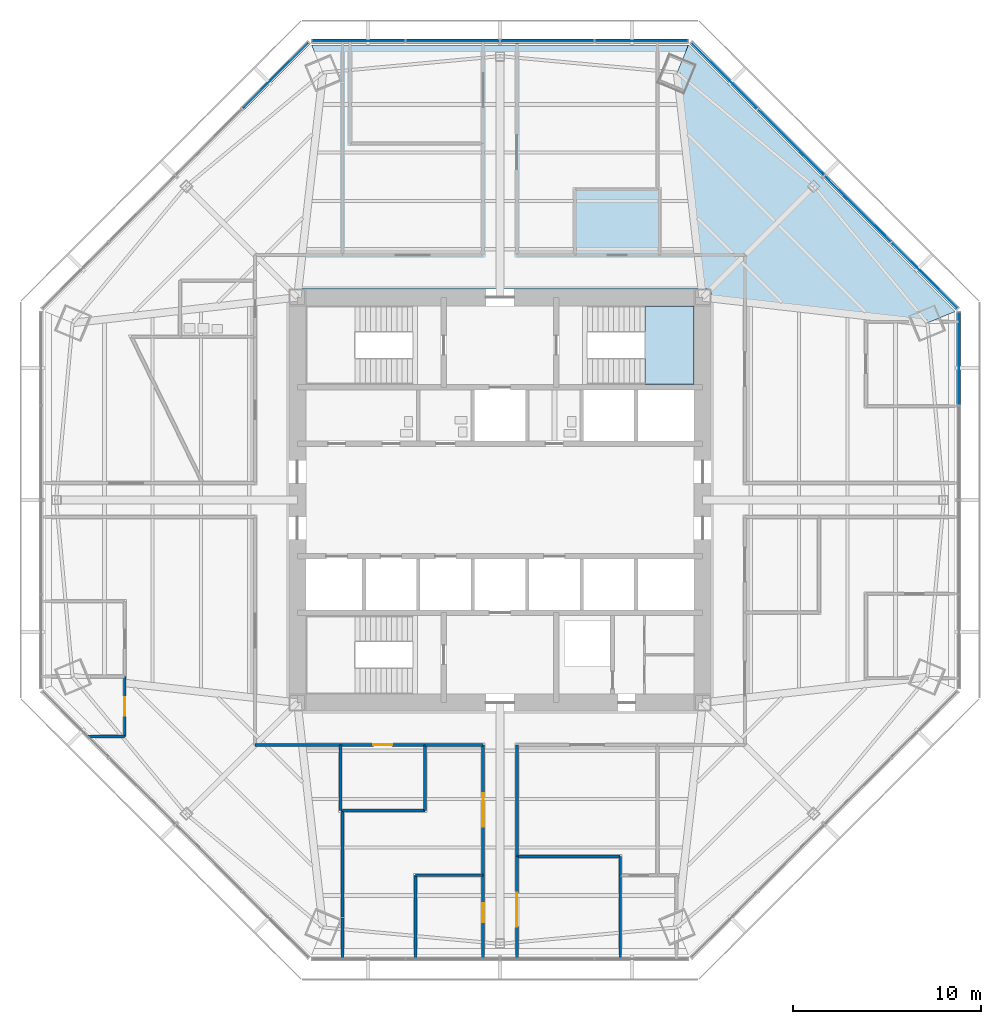
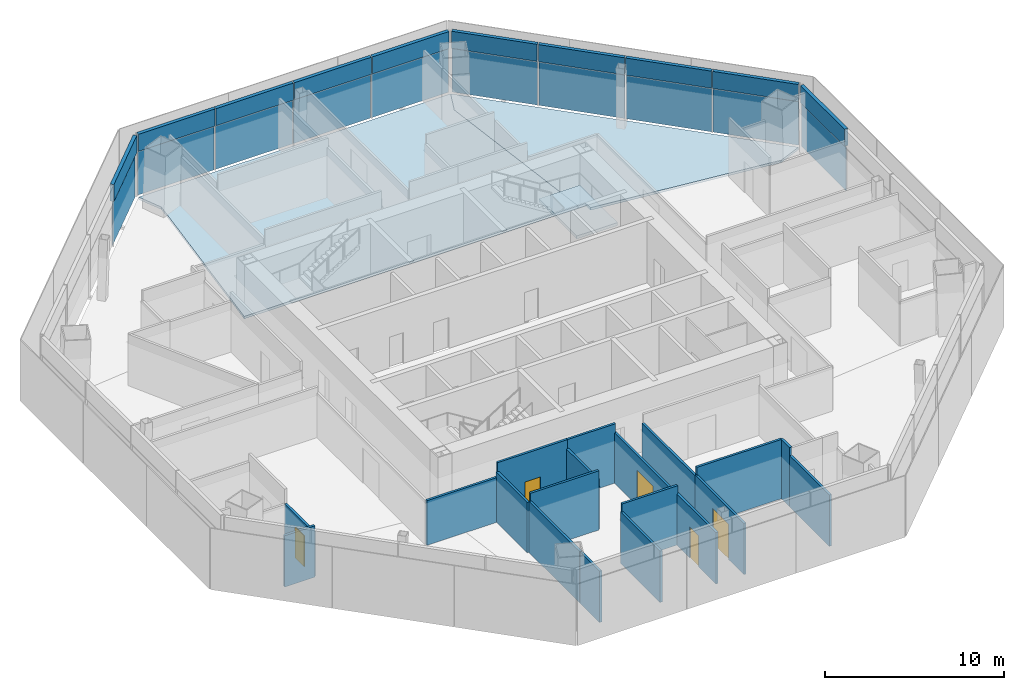
# One storey, part 8 of 15: 20 plates, 19 walls, 5 doors, 3 slabs, 5 openings, 5 elements without a shape of their own.
"""IFC4 building model written with IfcOpenShell, lengths in metres."""

from ifc_helpers import new_model, si_unit, direction, frame, frame_2d, origin, origin_2d, place, context, subcontext, project, spatial, polyline, rectangle, outline, extrude, source, transform, mapped, material, layer, layer_set, type_object, type_shapes, element, fill, aggregate, save


model = new_model("IFC4")

# Units and contexts
model_context = context("Model", 3, precision=1e-05, world=origin(), true_north=direction((0.0, 1.0)))
body_context = subcontext(model_context, "Body", "Model", "MODEL_VIEW")
ifc_project = project(units=[si_unit("LENGTHUNIT", "METRE"), si_unit("AREAUNIT", "SQUARE_METRE"), si_unit("VOLUMEUNIT", "CUBIC_METRE"), si_unit("PLANEANGLEUNIT", "RADIAN"), si_unit("MASSUNIT", "GRAM", prefix="KILO")], contexts=[model_context])

# Site, building, storey
site_placement = place(None, origin())
site = spatial("IfcSite", under=ifc_project, at=site_placement, CompositionType="ELEMENT")
building_placement = place(site_placement, origin())
building = spatial("IfcBuilding", under=site, at=building_placement, Name="Mashrafa Tower", CompositionType="ELEMENT")
storey_placement = place(building_placement, frame((0.0, 0.0, 126.0)))
storey = spatial("IfcBuildingStorey", under=building, at=storey_placement, Name="L28", CompositionType="ELEMENT", Elevation=126.0)

# Slabs
ifc_material_1 = material(Name="Concrete C35/45", Category="concrete")
ifc_layer_1 = layer(ifc_material_1, 0.1650390625)
ifc_layer_set_1 = layer_set([ifc_layer_1], Name="Floor slab 165")
slab_type_1 = type_object("IfcSlabType", Name="Floor slab 165", PredefinedType="FLOOR", material=ifc_layer_set_1)
slab_1_placement = place(storey_placement, frame((0.0, 0.0, -0.1650390625)))
element("IfcSlab", 1, at=slab_1_placement, inside=storey, type_object=slab_type_1, Name="Floor slab L28 north-east bay", PredefinedType="FLOOR", context=body_context, shape_type="SweptSolid", body=[
    extrude(outline(polyline([(24.250244140625, 10.044921875), (22.77685546875, 9.4345703125), (11.25, 10.748779296875), (11.25, 11.25), (10.748779296875, 11.25), (9.4345703125, 22.77685546875), (10.044921875, 24.250244140625), (24.250244140625, 10.044921875)])), origin(), (0.0, 0.0, 1.0), 0.1650390625),
])
slab_2_placement = place(storey_placement, frame((0.0, 0.0, -0.1650390625)))
element("IfcSlab", 2, at=slab_2_placement, inside=storey, type_object=slab_type_1, Name="Floor slab L28 north bay", PredefinedType="FLOOR", context=body_context, shape_type="SweptSolid", body=[
    extrude(outline(polyline([(-10.044921875, 24.250244140625), (10.044921875, 24.250244140625), (10.044921875, 24.250244140625), (9.4345703125, 22.77685546875), (10.748779296875, 11.25), (-10.748779296875, 11.25), (-9.4345703125, 22.77685546875), (-10.044921875, 24.250244140625), (-10.044921875, 24.250244140625)])), origin(), (0.0, 0.0, 1.0), 0.1650390625),
])

# Stair, slab
ifc_material_2 = material(Name="Exit stair 1400")
stair_type = type_object("IfcStairType", Name="Exit stair 1400", PredefinedType="HALF_TURN_STAIR", material=ifc_material_2)
stair_placement = place(storey_placement, origin())
stair = element("IfcStair", 3, at=stair_placement, inside=storey, type_object=stair_type, Name="Stair S2 L28", PredefinedType="HALF_TURN_STAIR")
ifc_material_3 = material(Name="Concrete C32/40", Category="concrete")
ifc_layer_2 = layer(ifc_material_3, 0.199951171875)
ifc_layer_set_2 = layer_set([ifc_layer_2], Name="Stair landing 200")
slab_type_2 = type_object("IfcSlabType", Name="Stair landing 200", PredefinedType="LANDING", material=ifc_layer_set_2)
slab_3_placement = place(storey_placement, frame((0.0, 0.0, 1.89990234375)))
slab_3 = element("IfcSlab", 4, at=slab_3_placement, type_object=slab_type_2, Name="S2 landing 2", PredefinedType="LANDING", context=body_context, shape_type="SweptSolid", body=[
    extrude(outline(polyline([(7.719970703125, 6.14990234375), (10.35009765625, 6.14990234375), (10.35009765625, 10.35009765625), (7.719970703125, 10.35009765625), (7.719970703125, 6.14990234375)])), origin(), (0.0, 0.0, 1.0), 0.2001953125),
])
aggregate(stair, [slab_3])

# Curtain wall, plate
ifc_material_4 = material(Name="Unitised aluminium curtain wall", Category="aluminium")
curtain_wall_type = type_object("IfcCurtainWallType", Name="Office curtain wall, zone 2 CW-B 225 deep", PredefinedType="NOTDEFINED", material=ifc_material_4)
curtain_wall_1_placement = place(storey_placement, origin())
curtain_wall_1 = element("IfcCurtainWall", 5, at=curtain_wall_1_placement, inside=storey, type_object=curtain_wall_type, Name="Office curtain wall, zone 2 L28 east", PredefinedType="NOTDEFINED")
ifc_material_5 = material(Name="Insulated double glazing, low-e, neutral", Category="glass")
ifc_layer_3 = layer(ifc_material_5, 0.028076171875)
ifc_layer_set_3 = layer_set([ifc_layer_3], Name="Vision panel CW-B 28")
plate_type_1 = type_object("IfcPlateType", Name="Vision panel CW-B 28", PredefinedType="CURTAIN_PANEL", material=ifc_layer_set_3)
shared_shape_1 = source(origin(), body_context, "Body", "SweptSolid", [
    extrude(rectangle(XDim=4.93798828125, YDim=0.028076171875, at=origin_2d()), origin(), (0.0, 0.0, 1.0), 2.9599609375),
])
plate_1_placement = place(storey_placement, frame((24.450439453125, 7.537109375, 0.0), z_axis=(0.0, 0.0, 1.0), x_axis=(0.0, 1.0, 0.0)))
plate_1 = element("IfcPlate", 6, at=plate_1_placement, type_object=plate_type_1, Name="CW-B vision panel 4", PredefinedType="CURTAIN_PANEL", context=body_context, shape_type="MappedRepresentation", body=[
    mapped(shared_shape_1, transform((0.0, 0.0, 0.0))),
])

# Curtain wall, plates
curtain_wall_2_placement = place(storey_placement, origin())
curtain_wall_2 = element("IfcCurtainWall", 7, at=curtain_wall_2_placement, inside=storey, type_object=curtain_wall_type, Name="Office curtain wall, zone 2 L28 north-east", PredefinedType="NOTDEFINED")
plate_2_placement = place(storey_placement, frame((22.618408203125, 11.95947265625, 0.0), z_axis=(0.0, 0.0, 1.0), x_axis=(-0.707106781187, 0.707106781187, 0.0)))
plate_2 = element("IfcPlate", 8, at=plate_2_placement, type_object=plate_type_1, Name="CW-B vision panel 1", PredefinedType="CURTAIN_PANEL", context=body_context, shape_type="MappedRepresentation", body=[
    mapped(shared_shape_1, transform((0.0, 0.0, 0.0))),
])
plate_3_placement = place(storey_placement, frame((11.95947265625, 22.618408203125, 0.0), z_axis=(0.0, 0.0, 1.0), x_axis=(-0.707106781187, 0.707106781187, 0.0)))
plate_3 = element("IfcPlate", 9, at=plate_3_placement, type_object=plate_type_1, Name="CW-B vision panel 4", PredefinedType="CURTAIN_PANEL", context=body_context, shape_type="MappedRepresentation", body=[
    mapped(shared_shape_1, transform((0.0, 0.0, 0.0))),
])

curtain_wall_3_placement = place(storey_placement, origin())
curtain_wall_3 = element("IfcCurtainWall", 10, at=curtain_wall_3_placement, inside=storey, type_object=curtain_wall_type, Name="Office curtain wall, zone 2 L28 north", PredefinedType="NOTDEFINED")
plate_4_placement = place(storey_placement, frame((7.537109375, 24.450439453125, 0.0), z_axis=(0.0, 0.0, 1.0), x_axis=(-1.0, 0.0, 0.0)))
plate_4 = element("IfcPlate", 11, at=plate_4_placement, type_object=plate_type_1, Name="CW-B vision panel 1", PredefinedType="CURTAIN_PANEL", context=body_context, shape_type="MappedRepresentation", body=[
    mapped(shared_shape_1, transform((0.0, 0.0, 0.0))),
])
plate_5_placement = place(storey_placement, frame((-7.537109375, 24.450439453125, 0.0), z_axis=(0.0, 0.0, 1.0), x_axis=(-1.0, 0.0, 0.0)))
plate_5 = element("IfcPlate", 12, at=plate_5_placement, type_object=plate_type_1, Name="CW-B vision panel 4", PredefinedType="CURTAIN_PANEL", context=body_context, shape_type="MappedRepresentation", body=[
    mapped(shared_shape_1, transform((0.0, 0.0, 0.0))),
])

# Curtain wall, plate
curtain_wall_4_placement = place(storey_placement, origin())
curtain_wall_4 = element("IfcCurtainWall", 13, at=curtain_wall_4_placement, inside=storey, type_object=curtain_wall_type, Name="Office curtain wall, zone 2 L28 north-west", PredefinedType="NOTDEFINED")
plate_6_placement = place(storey_placement, frame((-11.95947265625, 22.618408203125, 0.0), z_axis=(0.0, 0.0, 1.0), x_axis=(-0.707106781187, -0.707106781187, 0.0)))
plate_6 = element("IfcPlate", 14, at=plate_6_placement, type_object=plate_type_1, Name="CW-B vision panel 1", PredefinedType="CURTAIN_PANEL", context=body_context, shape_type="MappedRepresentation", body=[
    mapped(shared_shape_1, transform((0.0, 0.0, 0.0))),
])

# Plate
ifc_material_6 = material(Name="Insulated aluminium spandrel panel", Category="aluminium")
ifc_layer_4 = layer(ifc_material_6, 0.219970703125)
ifc_layer_set_4 = layer_set([ifc_layer_4], Name="Spandrel panel CW-B 220")
plate_type_2 = type_object("IfcPlateType", Name="Spandrel panel CW-B 220", PredefinedType="CURTAIN_PANEL", material=ifc_layer_set_4)
shared_shape_2 = source(origin(), body_context, "Body", "SweptSolid", [
    extrude(rectangle(XDim=4.93798828125, YDim=0.219970703125, at=origin_2d()), origin(), (0.0, 0.0, 1.0), 1.159912109375),
])
plate_7_placement = place(storey_placement, frame((24.450439453125, 7.537109375, 3.0400390625), z_axis=(0.0, 0.0, 1.0), x_axis=(0.0, 1.0, 0.0)))
plate_7 = element("IfcPlate", 15, at=plate_7_placement, type_object=plate_type_2, Name="CW-B spandrel panel 4", PredefinedType="CURTAIN_PANEL", context=body_context, shape_type="MappedRepresentation", body=[
    mapped(shared_shape_2, transform((0.0, 0.0, 0.0))),
])

aggregate(curtain_wall_1, [plate_1, plate_7])

plate_8_placement = place(storey_placement, frame((22.618408203125, 11.95947265625, 3.0400390625), z_axis=(0.0, 0.0, 1.0), x_axis=(-0.707106781187, 0.707106781187, 0.0)))
plate_8 = element("IfcPlate", 16, at=plate_8_placement, type_object=plate_type_2, Name="CW-B spandrel panel 1", PredefinedType="CURTAIN_PANEL", context=body_context, shape_type="MappedRepresentation", body=[
    mapped(shared_shape_2, transform((0.0, 0.0, 0.0))),
])

plate_9_placement = place(storey_placement, frame((11.95947265625, 22.618408203125, 3.0400390625), z_axis=(0.0, 0.0, 1.0), x_axis=(-0.707106781187, 0.707106781187, 0.0)))
plate_9 = element("IfcPlate", 17, at=plate_9_placement, type_object=plate_type_2, Name="CW-B spandrel panel 4", PredefinedType="CURTAIN_PANEL", context=body_context, shape_type="MappedRepresentation", body=[
    mapped(shared_shape_2, transform((0.0, 0.0, 0.0))),
])

plate_10_placement = place(storey_placement, frame((7.537109375, 24.450439453125, 3.0400390625), z_axis=(0.0, 0.0, 1.0), x_axis=(-1.0, 0.0, 0.0)))
plate_10 = element("IfcPlate", 18, at=plate_10_placement, type_object=plate_type_2, Name="CW-B spandrel panel 1", PredefinedType="CURTAIN_PANEL", context=body_context, shape_type="MappedRepresentation", body=[
    mapped(shared_shape_2, transform((0.0, 0.0, 0.0))),
])

plate_11_placement = place(storey_placement, frame((-7.537109375, 24.450439453125, 3.0400390625), z_axis=(0.0, 0.0, 1.0), x_axis=(-1.0, 0.0, 0.0)))
plate_11 = element("IfcPlate", 19, at=plate_11_placement, type_object=plate_type_2, Name="CW-B spandrel panel 4", PredefinedType="CURTAIN_PANEL", context=body_context, shape_type="MappedRepresentation", body=[
    mapped(shared_shape_2, transform((0.0, 0.0, 0.0))),
])

plate_12_placement = place(storey_placement, frame((-11.95947265625, 22.618408203125, 3.0400390625), z_axis=(0.0, 0.0, 1.0), x_axis=(-0.707106781187, -0.707106781187, 0.0)))
plate_12 = element("IfcPlate", 20, at=plate_12_placement, type_object=plate_type_2, Name="CW-B spandrel panel 1", PredefinedType="CURTAIN_PANEL", context=body_context, shape_type="MappedRepresentation", body=[
    mapped(shared_shape_2, transform((0.0, 0.0, 0.0))),
])

aggregate(curtain_wall_4, [plate_6, plate_12])

shared_shape_3 = source(origin(), body_context, "Body", "SweptSolid", [
    extrude(rectangle(XDim=4.970458984375, YDim=0.028076171875, at=origin_2d()), origin(), (0.0, 0.0, 1.0), 2.9599609375),
])
type_shapes(plate_type_1, [shared_shape_1, shared_shape_3])
plate_13_placement = place(storey_placement, frame((19.0693359375, 15.5087890625, 0.0), z_axis=(0.0, 0.0, 1.0), x_axis=(-0.707106781187, 0.707106781187, 0.0)))
plate_13 = element("IfcPlate", 21, at=plate_13_placement, type_object=plate_type_1, Name="CW-B vision panel 2", PredefinedType="CURTAIN_PANEL", context=body_context, shape_type="MappedRepresentation", body=[
    mapped(shared_shape_3, transform((0.0, 0.0, 0.0))),
])

plate_14_placement = place(storey_placement, frame((15.5087890625, 19.0693359375, 0.0), z_axis=(0.0, 0.0, 1.0), x_axis=(-0.707106781187, 0.707106781187, 0.0)))
plate_14 = element("IfcPlate", 22, at=plate_14_placement, type_object=plate_type_1, Name="CW-B vision panel 3", PredefinedType="CURTAIN_PANEL", context=body_context, shape_type="MappedRepresentation", body=[
    mapped(shared_shape_3, transform((0.0, 0.0, 0.0))),
])

plate_15_placement = place(storey_placement, frame((2.517822265625, 24.450439453125, 0.0), z_axis=(0.0, 0.0, 1.0), x_axis=(-1.0, 0.0, 0.0)))
plate_15 = element("IfcPlate", 23, at=plate_15_placement, type_object=plate_type_1, Name="CW-B vision panel 2", PredefinedType="CURTAIN_PANEL", context=body_context, shape_type="MappedRepresentation", body=[
    mapped(shared_shape_3, transform((0.0, 0.0, 0.0))),
])

plate_16_placement = place(storey_placement, frame((-2.517822265625, 24.450439453125, 0.0), z_axis=(0.0, 0.0, 1.0), x_axis=(-1.0, 0.0, 0.0)))
plate_16 = element("IfcPlate", 24, at=plate_16_placement, type_object=plate_type_1, Name="CW-B vision panel 3", PredefinedType="CURTAIN_PANEL", context=body_context, shape_type="MappedRepresentation", body=[
    mapped(shared_shape_3, transform((0.0, 0.0, 0.0))),
])

shared_shape_4 = source(origin(), body_context, "Body", "SweptSolid", [
    extrude(rectangle(XDim=4.970458984375, YDim=0.219970703125, at=origin_2d()), origin(), (0.0, 0.0, 1.0), 1.159912109375),
])
type_shapes(plate_type_2, [shared_shape_2, shared_shape_4])
plate_17_placement = place(storey_placement, frame((19.0693359375, 15.5087890625, 3.0400390625), z_axis=(0.0, 0.0, 1.0), x_axis=(-0.707106781187, 0.707106781187, 0.0)))
plate_17 = element("IfcPlate", 25, at=plate_17_placement, type_object=plate_type_2, Name="CW-B spandrel panel 2", PredefinedType="CURTAIN_PANEL", context=body_context, shape_type="MappedRepresentation", body=[
    mapped(shared_shape_4, transform((0.0, 0.0, 0.0))),
])

plate_18_placement = place(storey_placement, frame((15.5087890625, 19.0693359375, 3.0400390625), z_axis=(0.0, 0.0, 1.0), x_axis=(-0.707106781187, 0.707106781187, 0.0)))
plate_18 = element("IfcPlate", 26, at=plate_18_placement, type_object=plate_type_2, Name="CW-B spandrel panel 3", PredefinedType="CURTAIN_PANEL", context=body_context, shape_type="MappedRepresentation", body=[
    mapped(shared_shape_4, transform((0.0, 0.0, 0.0))),
])

aggregate(curtain_wall_2, [plate_2, plate_8, plate_13, plate_17, plate_14, plate_18, plate_3, plate_9])

plate_19_placement = place(storey_placement, frame((2.517822265625, 24.450439453125, 3.0400390625), z_axis=(0.0, 0.0, 1.0), x_axis=(-1.0, 0.0, 0.0)))
plate_19 = element("IfcPlate", 27, at=plate_19_placement, type_object=plate_type_2, Name="CW-B spandrel panel 2", PredefinedType="CURTAIN_PANEL", context=body_context, shape_type="MappedRepresentation", body=[
    mapped(shared_shape_4, transform((0.0, 0.0, 0.0))),
])

plate_20_placement = place(storey_placement, frame((-2.517822265625, 24.450439453125, 3.0400390625), z_axis=(0.0, 0.0, 1.0), x_axis=(-1.0, 0.0, 0.0)))
plate_20 = element("IfcPlate", 28, at=plate_20_placement, type_object=plate_type_2, Name="CW-B spandrel panel 3", PredefinedType="CURTAIN_PANEL", context=body_context, shape_type="MappedRepresentation", body=[
    mapped(shared_shape_4, transform((0.0, 0.0, 0.0))),
])

aggregate(curtain_wall_3, [plate_4, plate_10, plate_15, plate_19, plate_16, plate_20, plate_5, plate_11])

# Wall, opening, door
ifc_material_7 = material(Name="Gypsum board on steel studs", Category="steel")
ifc_layer_5 = layer(ifc_material_7, 0.14990234375)
ifc_layer_set_5 = layer_set([ifc_layer_5], Name="Corridor partition 150 1 hr")
wall_type_1 = type_object("IfcWallType", Name="Corridor partition 150 1 hr", PredefinedType="PARTITIONING", material=ifc_layer_set_5)
wall_1_placement = place(storey_placement, frame((-8.5009765625, -13.050048828125, 0.0), z_axis=(0.0, 0.0, 1.0), x_axis=(1.0, 0.0, 0.0)))
wall_1 = element("IfcWall", 29, at=wall_1_placement, inside=storey, type_object=wall_type_1, Name="Corridor wall L28-008", PredefinedType="PARTITIONING", context=body_context, shape_type="SweptSolid", body=[
    extrude(rectangle(XDim=4.501953125, YDim=0.14990234375, at=frame_2d((2.2509765625, 0.0))), origin(), (0.0, 0.0, 1.0), 4.034912109375),
])
opening_1_placement = place(wall_1_placement, frame((1.7509765625, 0.0, 0.0)))
opening_1 = element("IfcOpeningElement", 30, at=opening_1_placement, cuts=wall_1, Name="Opening 28.006", PredefinedType="OPENING", context=body_context, shape_type="SweptSolid", body=[
    extrude(rectangle(XDim=1.0, YDim=2.10009765625, at=frame_2d((0.5, 1.050048828125))), frame((0.0, 0.0849609375, 0.0), z_axis=(0.0, -1.0, 0.0), x_axis=(1.0, 0.0, 0.0)), (0.0, 0.0, 1.0), 0.169921875),
])
ifc_material_8 = material(Name="Timber door", Category="wood")
door_type_1 = type_object("IfcDoorType", Name="Door 1000 x 2100", OperationType="USERDEFINED", PredefinedType="DOOR", material=ifc_material_8)
door_1_placement = place(opening_1_placement, frame((1.0, 0.0, 0.0), z_axis=(0.0, 0.0, 1.0), x_axis=(-1.0, 0.0, 0.0)))
door_1 = element("IfcDoor", 31, at=door_1_placement, inside=storey, type_object=door_type_1, Name="Pantry 28-S door", OperationType="SINGLE_SWING_RIGHT", OverallHeight=2.10009765625, OverallWidth=1.0, PredefinedType="DOOR", context=body_context, shape_type="SweptSolid", body=[
    extrude(rectangle(XDim=1.0, YDim=2.10009765625, at=frame_2d((0.5, 1.050048828125))), frame((0.0, 0.02490234375, 0.0), z_axis=(0.0, -1.0, 0.0), x_axis=(1.0, 0.0, 0.0)), (0.0, 0.0, 1.0), 0.050048828125),
])
fill(opening_1, door_1)

wall_2_placement = place(storey_placement, frame((0.89990234375, -24.434326171875, 0.0), z_axis=(0.0, 0.0, 1.0), x_axis=(0.0, 1.0, 0.0)))
wall_2 = element("IfcWall", 32, at=wall_2_placement, inside=storey, type_object=wall_type_1, Name="Corridor wall L28-009", PredefinedType="PARTITIONING", context=body_context, shape_type="SweptSolid", body=[
    extrude(rectangle(XDim=5.434814453125, YDim=0.14990234375, at=frame_2d((2.71728515625, 0.0))), origin(), (0.0, 0.0, 1.0), 3.49169921875),
])
opening_2_placement = place(wall_2_placement, frame((1.699462890625, 0.0, 0.0)))
opening_2 = element("IfcOpeningElement", 33, at=opening_2_placement, cuts=wall_2, Name="Opening 28.009", PredefinedType="OPENING", context=body_context, shape_type="SweptSolid", body=[
    extrude(rectangle(XDim=1.800048828125, YDim=2.39990234375, at=frame_2d((0.89990234375, 1.199951171875))), frame((0.0, 0.0849609375, 0.0), z_axis=(0.0, -1.0, 0.0), x_axis=(1.0, 0.0, 0.0)), (0.0, 0.0, 1.0), 0.169921875),
])
ifc_material_9 = material(Name="Timber door", Category="wood")
door_type_2 = type_object("IfcDoorType", Name="Door pair 1800 x 2400", OperationType="DOUBLE_DOOR_SINGLE_SWING", PredefinedType="DOOR", material=ifc_material_9)
door_2_placement = place(opening_2_placement, frame((1.800048828125, 0.0, 0.0), z_axis=(0.0, 0.0, 1.0), x_axis=(-1.0, 0.0, 0.0)))
door_2 = element("IfcDoor", 34, at=door_2_placement, inside=storey, type_object=door_type_2, Name="Training Room 28-S door", OperationType="DOUBLE_DOOR_SINGLE_SWING", OverallHeight=2.39990234375, OverallWidth=1.800048828125, PredefinedType="DOOR", context=body_context, shape_type="SweptSolid", body=[
    extrude(rectangle(XDim=1.800048828125, YDim=2.39990234375, at=frame_2d((0.89990234375, 1.199951171875))), frame((0.0, 0.02490234375, 0.0), z_axis=(0.0, -1.0, 0.0), x_axis=(1.0, 0.0, 0.0)), (0.0, 0.0, 1.0), 0.050048828125),
])
fill(opening_2, door_2)

wall_3_placement = place(storey_placement, frame((-0.89990234375, -19.99951171875, 0.0), z_axis=(0.0, 0.0, 1.0), x_axis=(0.0, -1.0, 0.0)))
wall_3 = element("IfcWall", 35, at=wall_3_placement, inside=storey, type_object=wall_type_1, Name="Corridor wall L28-010", PredefinedType="PARTITIONING", context=body_context, shape_type="SweptSolid", body=[
    extrude(rectangle(XDim=4.434814453125, YDim=0.14990234375, at=frame_2d((2.21728515625, 0.0))), origin(), (0.0, 0.0, 1.0), 3.49169921875),
])
opening_3_placement = place(wall_3_placement, frame((1.50048828125, 0.0, 0.0)))
opening_3 = element("IfcOpeningElement", 36, at=opening_3_placement, cuts=wall_3, Name="Opening 28.011", PredefinedType="OPENING", context=body_context, shape_type="SweptSolid", body=[
    extrude(rectangle(XDim=1.0, YDim=2.10009765625, at=frame_2d((0.5, 1.050048828125))), frame((0.0, 0.0849609375, 0.0), z_axis=(0.0, -1.0, 0.0), x_axis=(1.0, 0.0, 0.0)), (0.0, 0.0, 1.0), 0.169921875),
])
door_3_placement = place(opening_3_placement, frame((1.0, 0.0, 0.0), z_axis=(0.0, 0.0, 1.0), x_axis=(-1.0, 0.0, 0.0)))
door_3 = element("IfcDoor", 37, at=door_3_placement, inside=storey, type_object=door_type_1, Name="Huddle Room 28-S door", OperationType="SINGLE_SWING_RIGHT", OverallHeight=2.10009765625, OverallWidth=1.0, PredefinedType="DOOR", context=body_context, shape_type="SweptSolid", body=[
    extrude(rectangle(XDim=1.0, YDim=2.10009765625, at=frame_2d((0.5, 1.050048828125))), frame((0.0, 0.02490234375, 0.0), z_axis=(0.0, -1.0, 0.0), x_axis=(1.0, 0.0, 0.0)), (0.0, 0.0, 1.0), 0.050048828125),
])
fill(opening_3, door_3)

# Walls
wall_4_placement = place(storey_placement, frame((-13.050048828125, -13.050048828125, 0.0), z_axis=(0.0, 0.0, 1.0), x_axis=(1.0, 0.0, 0.0)))
element("IfcWall", 38, at=wall_4_placement, inside=storey, type_object=wall_type_1, Name="Corridor wall L28-023", PredefinedType="PARTITIONING", context=body_context, shape_type="SweptSolid", body=[
    extrude(rectangle(XDim=4.551025390625, YDim=0.14990234375, at=frame_2d((2.275390625, 0.0))), origin(), (0.0, 0.0, 1.0), 3.0419921875),
])
wall_5_placement = place(storey_placement, frame((-4.0009765625, -13.050048828125, 0.0), z_axis=(0.0, 0.0, 1.0), x_axis=(1.0, 0.0, 0.0)))
element("IfcWall", 39, at=wall_5_placement, inside=storey, type_object=wall_type_1, Name="Corridor wall L28-024", PredefinedType="PARTITIONING", context=body_context, shape_type="SweptSolid", body=[
    extrude(rectangle(XDim=3.10107421875, YDim=0.14990234375, at=frame_2d((1.550537109375, 0.0))), origin(), (0.0, 0.0, 1.0), 4.034912109375),
])

# Wall, opening, door
wall_6_placement = place(storey_placement, frame((-0.89990234375, -13.050048828125, 0.0), z_axis=(0.0, 0.0, 1.0), x_axis=(0.0, -1.0, 0.0)))
wall_6 = element("IfcWall", 40, at=wall_6_placement, inside=storey, type_object=wall_type_1, Name="Corridor wall L28-025", PredefinedType="PARTITIONING", context=body_context, shape_type="SweptSolid", body=[
    extrude(rectangle(XDim=6.951416015625, YDim=0.14990234375, at=frame_2d((3.4755859375, 0.0))), origin(), (0.0, 0.0, 1.0), 3.425537109375),
])
opening_4_placement = place(wall_6_placement, frame((2.57568359375, 0.0, 0.0)))
opening_4 = element("IfcOpeningElement", 41, at=opening_4_placement, cuts=wall_6, Name="Opening 28.019", PredefinedType="OPENING", context=body_context, shape_type="SweptSolid", body=[
    extrude(rectangle(XDim=1.800048828125, YDim=2.39990234375, at=frame_2d((0.89990234375, 1.199951171875))), frame((0.0, 0.0849609375, 0.0), z_axis=(0.0, -1.0, 0.0), x_axis=(1.0, 0.0, 0.0)), (0.0, 0.0, 1.0), 0.169921875),
])
door_4_placement = place(opening_4_placement, frame((1.800048828125, 0.0, 0.0), z_axis=(0.0, 0.0, 1.0), x_axis=(-1.0, 0.0, 0.0)))
door_4 = element("IfcDoor", 42, at=door_4_placement, inside=storey, type_object=door_type_2, Name="Office Tenancy 28-S-SW2 door", OperationType="DOUBLE_DOOR_SINGLE_SWING", OverallHeight=2.39990234375, OverallWidth=1.800048828125, PredefinedType="DOOR", context=body_context, shape_type="SweptSolid", body=[
    extrude(rectangle(XDim=1.800048828125, YDim=2.39990234375, at=frame_2d((0.89990234375, 1.199951171875))), frame((0.0, 0.02490234375, 0.0), z_axis=(0.0, -1.0, 0.0), x_axis=(1.0, 0.0, 0.0)), (0.0, 0.0, 1.0), 0.050048828125),
])
fill(opening_4, door_4)

# Walls
wall_7_placement = place(storey_placement, frame((0.89990234375, -19.00146484375, 0.0), z_axis=(0.0, 0.0, 1.0), x_axis=(0.0, 1.0, 0.0)))
element("IfcWall", 43, at=wall_7_placement, inside=storey, type_object=wall_type_1, Name="Corridor wall L28-029", PredefinedType="PARTITIONING", context=body_context, shape_type="SweptSolid", body=[
    extrude(rectangle(XDim=5.951416015625, YDim=0.14990234375, at=frame_2d((2.9755859375, 0.0))), origin(), (0.0, 0.0, 1.0), 3.425537109375),
])
ifc_material_10 = material(Name="Gypsum board on steel studs", Category="steel")
ifc_layer_6 = layer(ifc_material_10, 0.14990234375)
ifc_layer_set_6 = layer_set([ifc_layer_6], Name="Partition 150")
wall_type_2 = type_object("IfcWallType", Name="Partition 150", PredefinedType="PARTITIONING", material=ifc_layer_set_6)
wall_8_placement = place(storey_placement, frame((-8.5, -13.050048828125, 0.0), z_axis=(0.0, 0.0, 1.0), x_axis=(0.0, -1.0, 0.0)))
element("IfcWall", 44, at=wall_8_placement, inside=storey, type_object=wall_type_2, Name="Partition wall L28-043", PredefinedType="PARTITIONING", context=body_context, shape_type="SweptSolid", body=[
    extrude(rectangle(XDim=3.5, YDim=0.14990234375, at=frame_2d((1.75, 0.0))), origin(), (0.0, 0.0, 1.0), 3.425537109375),
])
wall_9_placement = place(storey_placement, frame((-8.40087890625, -16.550048828125, 0.0), z_axis=(0.0, 0.0, 1.0), x_axis=(1.0, 0.0, 0.0)))
element("IfcWall", 45, at=wall_9_placement, inside=storey, type_object=wall_type_2, Name="Partition wall L28-044", PredefinedType="PARTITIONING", context=body_context, shape_type="SweptSolid", body=[
    extrude(rectangle(XDim=4.40087890625, YDim=0.14990234375, at=frame_2d((2.200439453125, 0.0))), origin(), (0.0, 0.0, 1.0), 4.034912109375),
])
wall_10_placement = place(storey_placement, frame((-4.0, -16.550048828125, 0.0), z_axis=(0.0, 0.0, 1.0), x_axis=(0.0, 1.0, 0.0)))
element("IfcWall", 46, at=wall_10_placement, inside=storey, type_object=wall_type_2, Name="Partition wall L28-045", PredefinedType="PARTITIONING", context=body_context, shape_type="SweptSolid", body=[
    extrude(rectangle(XDim=3.5, YDim=0.14990234375, at=frame_2d((1.75, 0.0))), origin(), (0.0, 0.0, 1.0), 3.425537109375),
])
wall_11_placement = place(storey_placement, frame((6.407958984375, -24.432373046875, 0.0), z_axis=(0.0, 0.0, 1.0), x_axis=(0.0, 1.0, 0.0)))
element("IfcWall", 47, at=wall_11_placement, inside=storey, type_object=wall_type_2, Name="Partition wall L28-054", PredefinedType="PARTITIONING", context=body_context, shape_type="SweptSolid", body=[
    extrude(rectangle(XDim=4.432861328125, YDim=0.14990234375, at=frame_2d((2.21630859375, 0.0))), origin(), (0.0, 0.0, 1.0), 3.49169921875),
])
wall_12_placement = place(storey_placement, frame((6.407958984375, -20.00146484375, 0.0), z_axis=(0.0, 0.0, 1.0), x_axis=(0.0, 1.0, 0.0)))
element("IfcWall", 48, at=wall_12_placement, inside=storey, type_object=wall_type_2, Name="Partition wall L28-055", PredefinedType="PARTITIONING", context=body_context, shape_type="SweptSolid", body=[
    extrude(rectangle(XDim=1.0009765625, YDim=0.14990234375, at=frame_2d((0.50048828125, 0.0))), origin(), (0.0, 0.0, 1.0), 4.034912109375),
])
wall_13_placement = place(storey_placement, frame((6.407958984375, -19.00048828125, 0.0), z_axis=(0.0, 0.0, 1.0), x_axis=(-1.0, 0.0, 0.0)))
element("IfcWall", 49, at=wall_13_placement, inside=storey, type_object=wall_type_2, Name="Partition wall L28-056", PredefinedType="PARTITIONING", context=body_context, shape_type="SweptSolid", body=[
    extrude(rectangle(XDim=5.508056640625, YDim=0.14990234375, at=frame_2d((2.75390625, 0.0))), origin(), (0.0, 0.0, 1.0), 4.034912109375),
])
wall_14_placement = place(storey_placement, frame((-0.89990234375, -20.00048828125, 0.0), z_axis=(0.0, 0.0, 1.0), x_axis=(-1.0, 0.0, 0.0)))
element("IfcWall", 50, at=wall_14_placement, inside=storey, type_object=wall_type_2, Name="Partition wall L28-061", PredefinedType="PARTITIONING", context=body_context, shape_type="SweptSolid", body=[
    extrude(rectangle(XDim=3.60009765625, YDim=0.14990234375, at=frame_2d((1.800048828125, 0.0))), origin(), (0.0, 0.0, 1.0), 4.034912109375),
])
wall_15_placement = place(storey_placement, frame((-4.5, -20.00048828125, 0.0), z_axis=(0.0, 0.0, 1.0), x_axis=(0.0, -1.0, 0.0)))
element("IfcWall", 51, at=wall_15_placement, inside=storey, type_object=wall_type_2, Name="Partition wall L28-062", PredefinedType="PARTITIONING", context=body_context, shape_type="SweptSolid", body=[
    extrude(rectangle(XDim=4.431884765625, YDim=0.14990234375, at=frame_2d((2.2158203125, 0.0))), origin(), (0.0, 0.0, 1.0), 3.49169921875),
])
wall_16_placement = place(storey_placement, frame((-21.9541015625, -12.60009765625, 0.0), z_axis=(0.0, 0.0, 1.0), x_axis=(1.0, 0.0, 0.0)))
element("IfcWall", 52, at=wall_16_placement, inside=storey, type_object=wall_type_2, Name="Partition wall L28-067", PredefinedType="PARTITIONING", context=body_context, shape_type="SweptSolid", body=[
    extrude(rectangle(XDim=1.95361328125, YDim=0.14990234375, at=frame_2d((0.976806640625, 0.0))), origin(), (0.0, 0.0, 1.0), 3.499267578125),
])

# Wall, opening, door
wall_17_placement = place(storey_placement, frame((-20.00048828125, -12.60009765625, 0.0), z_axis=(0.0, 0.0, 1.0), x_axis=(0.0, 1.0, 0.0)))
wall_17 = element("IfcWall", 53, at=wall_17_placement, inside=storey, type_object=wall_type_2, Name="Partition wall L28-068", PredefinedType="PARTITIONING", context=body_context, shape_type="SweptSolid", body=[
    extrude(rectangle(XDim=3.192138671875, YDim=0.14990234375, at=frame_2d((1.59619140625, 0.0))), origin(), (0.0, 0.0, 1.0), 3.0419921875),
])
opening_5_placement = place(wall_17_placement, frame((1.095947265625, 0.0, 0.0)))
opening_5 = element("IfcOpeningElement", 54, at=opening_5_placement, cuts=wall_17, Name="Opening 28.013", PredefinedType="OPENING", context=body_context, shape_type="SweptSolid", body=[
    extrude(rectangle(XDim=1.0, YDim=2.10009765625, at=frame_2d((0.5, 1.050048828125))), frame((0.0, 0.0849609375, 0.0), z_axis=(0.0, -1.0, 0.0), x_axis=(1.0, 0.0, 0.0)), (0.0, 0.0, 1.0), 0.169921875),
])
door_5_placement = place(opening_5_placement, origin())
door_5 = element("IfcDoor", 55, at=door_5_placement, inside=storey, type_object=door_type_1, Name="Office 28-S-SW1-2 door", OperationType="SINGLE_SWING_LEFT", OverallHeight=2.10009765625, OverallWidth=1.0, PredefinedType="DOOR", context=body_context, shape_type="SweptSolid", body=[
    extrude(rectangle(XDim=1.0, YDim=2.10009765625, at=frame_2d((0.5, 1.050048828125))), frame((0.0, 0.02490234375, 0.0), z_axis=(0.0, -1.0, 0.0), x_axis=(1.0, 0.0, 0.0)), (0.0, 0.0, 1.0), 0.050048828125),
])
fill(opening_5, door_5)

# Walls
wall_18_placement = place(storey_placement, frame((-8.39990234375, -24.432373046875, 0.0), z_axis=(0.0, 0.0, 1.0), x_axis=(0.0, 1.0, 0.0)))
element("IfcWall", 56, at=wall_18_placement, inside=storey, type_object=wall_type_2, Name="Partition wall L28-073", PredefinedType="PARTITIONING", context=body_context, shape_type="SweptSolid", body=[
    extrude(rectangle(XDim=2.1435546875, YDim=0.14990234375, at=frame_2d((1.07177734375, 0.0))), origin(), (0.0, 0.0, 1.0), 3.499267578125),
])
wall_19_placement = place(storey_placement, frame((-8.39990234375, -22.227783203125, 0.0), z_axis=(0.0, 0.0, 1.0), x_axis=(0.0, 1.0, 0.0)))
element("IfcWall", 57, at=wall_19_placement, inside=storey, type_object=wall_type_2, Name="Partition wall L28-074", PredefinedType="PARTITIONING", context=body_context, shape_type="SweptSolid", body=[
    extrude(rectangle(XDim=5.677734375, YDim=0.14990234375, at=frame_2d((2.8388671875, 0.0))), origin(), (0.0, 0.0, 1.0), 3.49169921875),
])

save(model, "model.ifc")
